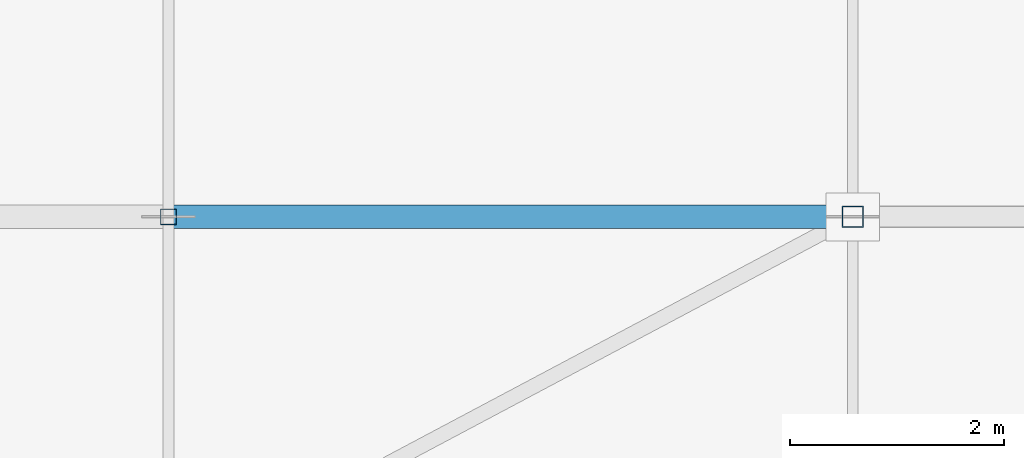
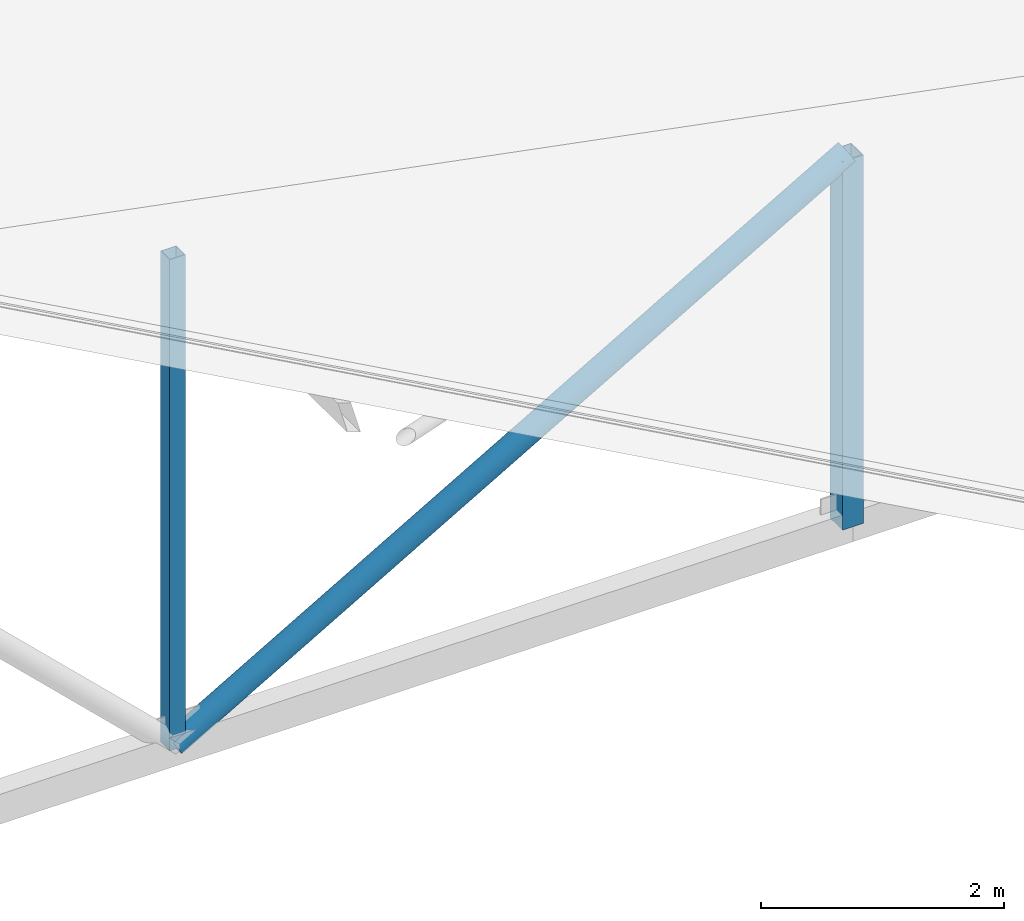
# One storey, part 25 of 200: 3 members.
"""IFC4 building model written with IfcOpenShell, lengths in metres."""

import ifcopenshell
import ifcopenshell.guid

model = None  # the IFC model being written
_history = None  # IfcOwnerHistory: only IFC2X3 demands one
_inside = {}  # id of a spatial element -> (the spatial element, [elements in it])
_under = {}  # id of a project, library or spatial element -> (it, [spatial elements below it])
_declared = {}  # id of a project -> (the project, [libraries it declares])
_typed = {}  # id of a type object -> (the type object, [elements of that type])
_made_of = {}  # id of a material, layer set ... -> (it, [elements and type objects made of it])


def new_model(schema):
    """Start an empty IFC model of exactly this schema.

    Asked for "IFC4X3", IfcOpenShell would pick the latest addendum, in which some entities
    have other attributes; the version numbers below select the first issue.
    IFC2X3 requires an IfcOwnerHistory on every rooted entity: one is made here for all.
    """
    global model, _history
    if schema == "IFC4X3":
        model = ifcopenshell.file(schema_version=(4, 3, 0, 0))
    else:
        model = ifcopenshell.file(schema=schema)
    _inside.clear()
    _under.clear()
    _declared.clear()
    _typed.clear()
    _made_of.clear()
    _history = None
    if model.schema == "IFC2X3":
        org = make("IfcOrganization", Name="unknown")
        user = make(
            "IfcPersonAndOrganization",
            ThePerson=make("IfcPerson", FamilyName="unknown"),
            TheOrganization=org,
        )
        app = make(
            "IfcApplication",
            ApplicationDeveloper=org,
            Version="unknown",
            ApplicationFullName="unknown",
            ApplicationIdentifier="unknown",
        )
        _history = make(
            "IfcOwnerHistory",
            OwningUser=user,
            OwningApplication=app,
            ChangeAction="ADDED",
            CreationDate=0,
        )
    return model


def make(cls, **values):
    """One entity of the class cls with the attributes given. An attribute that is None is left unset."""
    return model.create_entity(
        cls, **{name: value for name, value in values.items() if value is not None}
    )


def rooted(cls, **values):
    """An entity with a GlobalId (a new one), such as an element, a storey or a relation."""
    return make(cls, GlobalId=ifcopenshell.guid.new(), OwnerHistory=_history, **values)


def si_unit(unit_type, name, prefix=None):
    """IfcSIUnit, for example si_unit("LENGTHUNIT", "METRE", prefix="MILLI")."""
    return make("IfcSIUnit", UnitType=unit_type, Prefix=prefix, Name=name)


def assignment(units):
    """IfcUnitAssignment: the units of a project."""
    return None if units is None else make("IfcUnitAssignment", Units=units)


def point(xyz):
    """IfcCartesianPoint."""
    return None if xyz is None else make("IfcCartesianPoint", Coordinates=xyz)


def direction(xyz):
    """IfcDirection."""
    return None if xyz is None else make("IfcDirection", DirectionRatios=xyz)


def frame(location, z_axis=None, x_axis=None):
    """IfcAxis2Placement3D, a coordinate frame: its origin and axes. An axis left out is left unset."""
    return make(
        "IfcAxis2Placement3D",
        Location=point(location),
        Axis=direction(z_axis),
        RefDirection=direction(x_axis),
    )


def frame_2d(location, x_axis=None):
    """IfcAxis2Placement2D, a coordinate frame in the plane: its origin and x axis."""
    return make(
        "IfcAxis2Placement2D", Location=point(location), RefDirection=direction(x_axis)
    )


def origin():
    """The frame at (0, 0, 0) with its axes left unset."""
    return frame((0.0, 0.0, 0.0))


def origin_2d():
    """The frame at (0, 0) in the plane with its x axis left unset."""
    return frame_2d((0.0, 0.0))


def place(relative_to, where):
    """IfcLocalPlacement: puts the frame where relative to a parent placement (None: the world)."""
    return make(
        "IfcLocalPlacement", PlacementRelTo=relative_to, RelativePlacement=where
    )


def context(
    kind, dimensions, precision=None, world=None, true_north=None, identifier=None
):
    """IfcGeometricRepresentationContext, for example the 3D "Model" context."""
    return make(
        "IfcGeometricRepresentationContext",
        ContextIdentifier=identifier,
        ContextType=kind,
        CoordinateSpaceDimension=dimensions,
        Precision=precision,
        WorldCoordinateSystem=world,
        TrueNorth=true_north,
    )


def subcontext(parent, identifier, kind, view, scale=None):
    """IfcGeometricRepresentationSubContext, for example "Body" below "Model"."""
    return make(
        "IfcGeometricRepresentationSubContext",
        ContextIdentifier=identifier,
        ContextType=kind,
        ParentContext=parent,
        TargetScale=scale,
        TargetView=view,
    )


def project(units=None, contexts=None):
    """IfcProject with its units and contexts."""
    return rooted(
        "IfcProject",
        Name="project",
        RepresentationContexts=contexts,
        UnitsInContext=assignment(units),
    )


def spatial(cls, under=None, at=None, **own):
    """A site, building, storey or space (cls), placed at a placement, below another one or the project."""
    s = rooted(cls, ObjectPlacement=at, **own)
    if under is not None:
        _under.setdefault(under.id(), (under, []))[1].append(s)
    return s


def profile(cls, at=None, kind="AREA", **sizes):
    """A parametric profile (cls). Its sizes go by their IFC names, for example OverallWidth=200.0."""
    return make(cls, ProfileType=kind, Position=at, **sizes)


def hollow_rectangle(**sizes):
    """IfcRectangleHollowProfileDef."""
    return profile("IfcRectangleHollowProfileDef", **sizes)


def hollow_circle(**sizes):
    """IfcCircleHollowProfileDef."""
    return profile("IfcCircleHollowProfileDef", **sizes)


def extrude(swept, where, along, depth):
    """IfcExtrudedAreaSolid: the profile swept, set in the frame where, extruded along a direction by depth."""
    return make(
        "IfcExtrudedAreaSolid",
        SweptArea=swept,
        Position=where,
        ExtrudedDirection=direction(along),
        Depth=depth,
    )


def shape(context_of_items, identifier, shape_type, items):
    """IfcShapeRepresentation: the items that make up one representation, for example the "Body"."""
    return make(
        "IfcShapeRepresentation",
        ContextOfItems=context_of_items,
        RepresentationIdentifier=identifier,
        RepresentationType=shape_type,
        Items=items,
    )


def material(Name=None, Category=None):
    """IfcMaterial."""
    return make("IfcMaterial", Name=Name, Category=Category)


def material_profile(
    of_material, cross_section, Name=None, Category=None, Priority=None
):
    """IfcMaterialProfile: a cross section and its material."""
    return make(
        "IfcMaterialProfile",
        Name=Name,
        Material=of_material,
        Profile=cross_section,
        Priority=Priority,
        Category=Category,
    )


def profile_set(profiles, Name=None, composite=None):
    """IfcMaterialProfileSet."""
    return make(
        "IfcMaterialProfileSet",
        Name=Name,
        MaterialProfiles=profiles,
        CompositeProfile=composite,
    )


def made_of(thing, what):
    """Note that an element or type object is made of a material, layer set ...; save() writes the relation."""
    if what is not None:
        _made_of.setdefault(what.id(), (what, []))[1].append(thing)
    return thing


def type_object(cls, material=None, **own):
    """A type object (cls), such as IfcWallType, which elements share."""
    return made_of(rooted(cls, **own), material)


def element(
    cls,
    number,
    at=None,
    inside=None,
    cuts=None,
    type_object=None,
    material=None,
    context=None,
    identifier="Body",
    shape_type=None,
    held_by="IfcProductDefinitionShape",
    body=None,
    shapes=None,
    **own,
):
    """One element of the class cls, such as IfcWall. Its Tag is "e" and its number.

    at: its placement. inside: the storey or other place that contains it. cuts: it is an
    opening in that element (IfcRelVoidsElement). A single representation is given by context,
    identifier, shape_type and body (its items); several are given by shapes. held_by: the class
    of the entity that holds the representations. save() writes the other relations.
    """
    e = rooted(cls, Tag="e%d" % number, ObjectPlacement=at, **own)
    if body is not None:
        shapes = [shape(context, identifier, shape_type, body)]
    if shapes is not None:
        e.Representation = make(held_by, Representations=shapes)
    if inside is not None:
        _inside.setdefault(inside.id(), (inside, []))[1].append(e)
    if cuts is not None:
        rooted(
            "IfcRelVoidsElement", RelatingBuildingElement=cuts, RelatedOpeningElement=e
        )
    if type_object is not None:
        _typed.setdefault(type_object.id(), (type_object, []))[1].append(e)
    return made_of(e, material)


def aggregate(whole, parts):
    """IfcRelAggregates: a whole, such as a stair, and the parts it consists of."""
    return rooted("IfcRelAggregates", RelatingObject=whole, RelatedObjects=parts)


def save(model, path):
    """Write the relations noted so far, then the file.

    IfcRelAggregates (storeys below a building ...), IfcRelContainedInSpatialStructure (elements
    in a storey), IfcRelDefinesByType, IfcRelAssociatesMaterial and IfcRelDeclares: one each for
    every whole, place, type object, material and project.
    """
    for whole, parts in _under.values():
        aggregate(whole, parts)
    for where, things in _inside.values():
        rooted(
            "IfcRelContainedInSpatialStructure",
            RelatedElements=things,
            RelatingStructure=where,
        )
    for kind, things in _typed.values():
        rooted("IfcRelDefinesByType", RelatedObjects=things, RelatingType=kind)
    for what, things in _made_of.values():
        rooted("IfcRelAssociatesMaterial", RelatedObjects=things, RelatingMaterial=what)
    for by, libraries in _declared.values():
        rooted("IfcRelDeclares", RelatingContext=by, RelatedDefinitions=libraries)
    model.write(path)


model = new_model("IFC4")

# Units and contexts
model_context = context("Model", 3, precision=1e-05, world=origin(), true_north=direction((0.0, 1.0)))
body_context = subcontext(model_context, "Body", "Model", "MODEL_VIEW")
ifc_project = project(units=[si_unit("LENGTHUNIT", "METRE"), si_unit("AREAUNIT", "SQUARE_METRE"), si_unit("VOLUMEUNIT", "CUBIC_METRE"), si_unit("PLANEANGLEUNIT", "RADIAN"), si_unit("MASSUNIT", "GRAM", prefix="KILO")], contexts=[model_context])

# Site, building, storey
site_placement = place(None, origin())
site = spatial("IfcSite", under=ifc_project, at=site_placement, CompositionType="ELEMENT")
building_placement = place(site_placement, origin())
building = spatial("IfcBuilding", under=site, at=building_placement, Name="Vondelvale Polytechnic", CompositionType="ELEMENT")
storey_placement = place(building_placement, frame((0.0, 0.0, 13.800048828125)))
storey = spatial("IfcBuildingStorey", under=building, at=storey_placement, Name="L03", CompositionType="ELEMENT", Elevation=13.800048828125)

# Members
ifc_material = material(Name="Steel C350L0 (fy = 350 MPa)", Category="steel")
ifc_material_profile_1 = material_profile(ifc_material, hollow_circle(Radius=0.109619140625, WallThickness=0.00830078125, at=origin_2d()), Name="219.1x8.2CHS")
ifc_profile_set_1 = profile_set([ifc_material_profile_1], Name="Steel C350L0 (fy = 350 MPa)")
member_type_1 = type_object("IfcMemberType", Name="ROOF TRUSS BRACE 219CHS", PredefinedType="BRACE", material=ifc_profile_set_1)
member_1_placement = place(storey_placement, frame((22.39990234375, 61.199951171875, -0.420166015625), z_axis=(0.865728347066, 0.0, 0.50051416472), x_axis=(0.0, 1.0, 0.0)))
element("IfcMember", 1, at=member_1_placement, inside=storey, type_object=member_type_1, Name="ROOF TRUSS TR-02 web diagonal 5", PredefinedType="BRACE", context=body_context, shape_type="SweptSolid", body=[
    extrude(hollow_circle(Radius=0.109619140625, WallThickness=0.00830078125, at=origin_2d()), origin(), (0.0, 0.0, 1.0), 7.392822265625),
])
ifc_material_profile_2 = material_profile(ifc_material, hollow_rectangle(XDim=0.14990234375, YDim=0.14990234375, WallThickness=0.006103515625, at=origin_2d()), Name="150x150x6.0SHS")
ifc_profile_set_2 = profile_set([ifc_material_profile_2], Name="Steel C350L0 (fy = 350 MPa)")
member_type_2 = type_object("IfcMemberType", Name="ROOF TRUSS POST 150SHS", PredefinedType="POST", material=ifc_profile_set_2)
member_2_placement = place(storey_placement, frame((22.39990234375, 61.199951171875, -0.420166015625), z_axis=(0.0, 0.0, 1.0), x_axis=(1.0, 0.0, 0.0)))
element("IfcMember", 2, at=member_2_placement, inside=storey, type_object=member_type_2, Name="ROOF TRUSS TR-02 vertical post 4", PredefinedType="POST", context=body_context, shape_type="SweptSolid", body=[
    extrude(hollow_rectangle(XDim=0.14990234375, YDim=0.14990234375, WallThickness=0.006103515625, at=origin_2d()), origin(), (0.0, 0.0, 1.0), 4.933349609375),
])
ifc_material_profile_3 = material_profile(ifc_material, hollow_rectangle(XDim=0.199951171875, YDim=0.199951171875, WallThickness=0.009033203125, at=origin_2d()), Name="200x200x9.0SHS")
ifc_profile_set_3 = profile_set([ifc_material_profile_3], Name="Steel C350L0 (fy = 350 MPa)")
member_type_3 = type_object("IfcMemberType", Name="ROOF TRUSS POST 200SHS", PredefinedType="POST", material=ifc_profile_set_3)
member_3_placement = place(storey_placement, frame((28.800048828125, 61.199951171875, -0.420166015625), z_axis=(0.0, 0.0, 1.0), x_axis=(1.0, 0.0, 0.0)))
element("IfcMember", 3, at=member_3_placement, inside=storey, type_object=member_type_3, Name="ROOF TRUSS TR-02 vertical post 5", PredefinedType="POST", context=body_context, shape_type="SweptSolid", body=[
    extrude(hollow_rectangle(XDim=0.199951171875, YDim=0.199951171875, WallThickness=0.009033203125, at=origin_2d()), origin(), (0.0, 0.0, 1.0), 3.7001953125),
])

save(model, "model.ifc")
